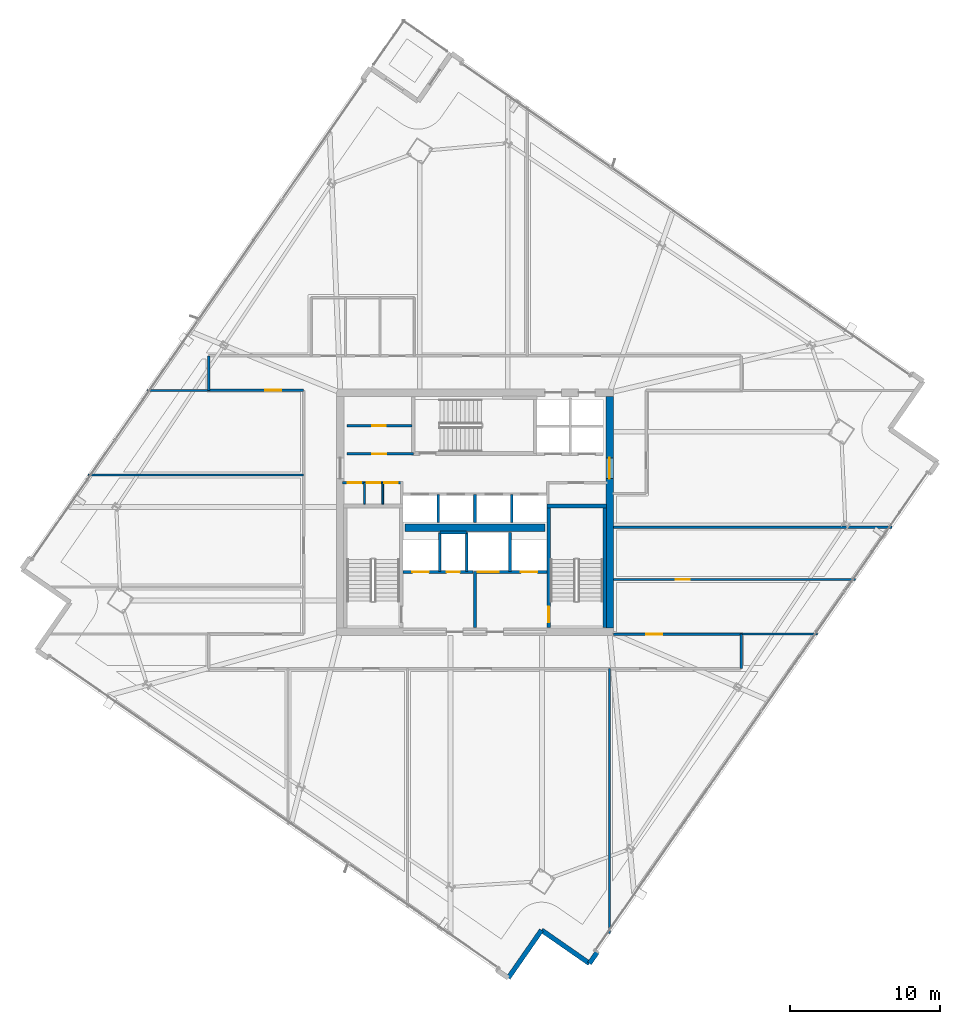
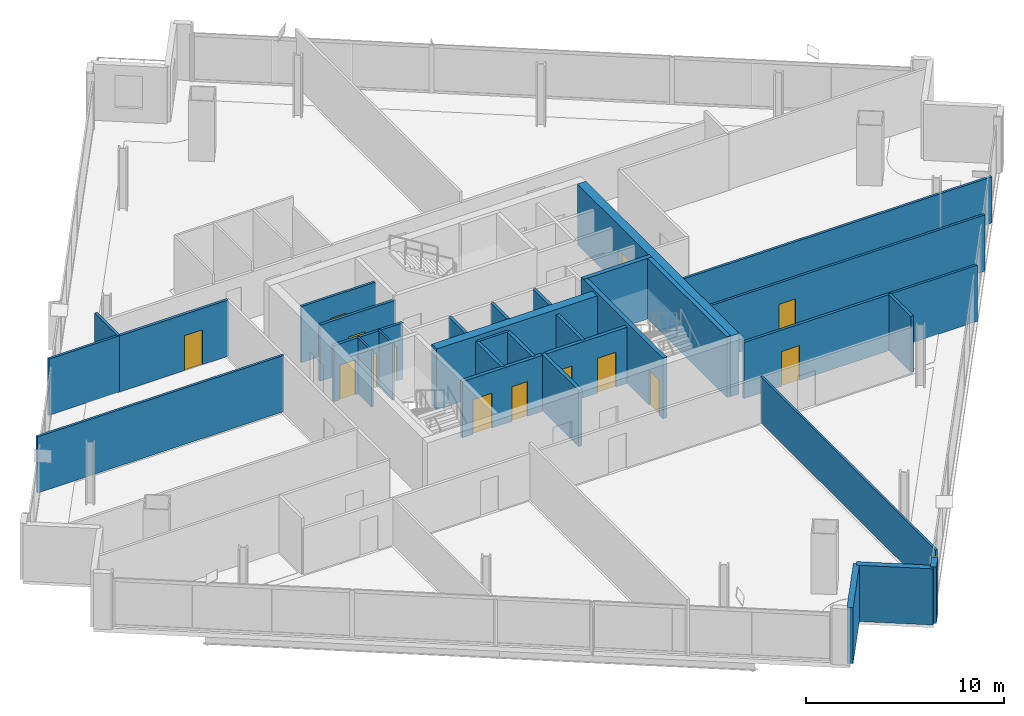
# One storey, part 23 of 30: 33 walls, 14 doors, 14 openings.
"""IFC4 building model written with IfcOpenShell, lengths in metres."""

from ifc_helpers import new_model, si_unit, direction, frame, frame_2d, origin, place, context, subcontext, project, spatial, rectangle, extrude, material, layer, layer_set, type_object, element, fill, save


model = new_model("IFC4")

# Units and contexts
model_context = context("Model", 3, precision=1e-05, world=origin(), true_north=direction((0.0, 1.0)))
body_context = subcontext(model_context, "Body", "Model", "MODEL_VIEW")
ifc_project = project(units=[si_unit("LENGTHUNIT", "METRE"), si_unit("AREAUNIT", "SQUARE_METRE"), si_unit("VOLUMEUNIT", "CUBIC_METRE"), si_unit("PLANEANGLEUNIT", "RADIAN"), si_unit("MASSUNIT", "GRAM", prefix="KILO")], contexts=[model_context])

# Site, building, storey
site_placement = place(None, origin())
site = spatial("IfcSite", under=ifc_project, at=site_placement, CompositionType="ELEMENT")
building_placement = place(site_placement, origin())
building = spatial("IfcBuilding", under=site, at=building_placement, Name="Haldenkirk Collegiate Tower", CompositionType="ELEMENT")
storey_placement = place(building_placement, frame((0.0, 0.0, 213.449951171875)))
storey = spatial("IfcBuildingStorey", under=building, at=storey_placement, Name="L53", CompositionType="ELEMENT", Elevation=213.449951171875)

# Wall, opening, door
ifc_material_1 = material(Name="Concrete f'c 55 MPa", Category="concrete")
ifc_layer_1 = layer(ifc_material_1, 0.5)
ifc_layer_set_1 = layer_set([ifc_layer_1], Name="Concrete f'c 55 MPa")
wall_type_1 = type_object("IfcWallType", Name="WL-CORE-500", PredefinedType="SHEAR", material=ifc_layer_set_1)
wall_1_placement = place(storey_placement, frame((45.0, 18.25, 0.0), z_axis=(0.0, 0.0, 1.0), x_axis=(0.0, 1.0, 0.0)))
wall_1 = element("IfcWall", 1, at=wall_1_placement, inside=storey, type_object=wall_type_1, Name="L53 central core shear wall E", PredefinedType="SHEAR", context=body_context, shape_type="SweptSolid", body=[
    extrude(rectangle(XDim=15.5, YDim=0.5, at=frame_2d((7.75, 0.0))), origin(), (0.0, 0.0, 1.0), 3.75),
])
opening_1_placement = place(wall_1_placement, frame((9.989990234375, 0.0, 0.0)))
opening_1 = element("IfcOpeningElement", 2, at=opening_1_placement, cuts=wall_1, Name="Opening D-03", PredefinedType="OPENING", context=body_context, shape_type="SweptSolid", body=[
    extrude(rectangle(XDim=1.39990234375, YDim=2.199951171875, at=frame_2d((0.699951171875, 1.10009765625))), frame((0.0, 0.260009765625, 0.0), z_axis=(0.0, -1.0, 0.0), x_axis=(1.0, 0.0, 0.0)), (0.0, 0.0, 1.0), 0.52001953125),
])
ifc_material_2 = material(Name="Galvanized fire-rated hollow steel door", Category="steel")
ifc_layer_2 = layer(ifc_material_2, 0.06005859375)
ifc_layer_set_2 = layer_set([ifc_layer_2], Name="Galvanized fire-rated hollow steel door")
door_type_1 = type_object("IfcDoorType", Name="DR-LOBBY-FD90-1400", OperationType="NOTDEFINED", PredefinedType="DOOR", material=ifc_layer_set_2)
door_1_placement = place(opening_1_placement, origin())
door_1 = element("IfcDoor", 3, at=door_1_placement, inside=storey, type_object=door_type_1, Name="L53 east lift lobby portal", OperationType="DOUBLE_DOOR_SINGLE_SWING", OverallHeight=2.199951171875, OverallWidth=1.39990234375, PredefinedType="DOOR", context=body_context, shape_type="SweptSolid", body=[
    extrude(rectangle(XDim=1.39990234375, YDim=2.199951171875, at=frame_2d((0.699951171875, 1.10009765625))), frame((0.0, 0.02490234375, 0.0), z_axis=(0.0, -1.0, 0.0), x_axis=(1.0, 0.0, 0.0)), (0.0, 0.0, 1.0), 0.050048828125),
])
fill(opening_1, door_1)

# Walls
wall_2_placement = place(storey_placement, frame((31.31005859375, 24.949951171875, 0.0), z_axis=(0.0, 0.0, 1.0), x_axis=(1.0, 0.0, 0.0)))
element("IfcWall", 4, at=wall_2_placement, inside=storey, type_object=wall_type_1, Name="L53 central core spine shear wall", PredefinedType="SHEAR", context=body_context, shape_type="SweptSolid", body=[
    extrude(rectangle(XDim=9.3798828125, YDim=0.5, at=frame_2d((4.68994140625, 0.0))), origin(), (0.0, 0.0, 1.0), 3.75),
])
ifc_material_3 = material(Name="Precast concrete f'c 40 MPa", Category="concrete")
ifc_layer_3 = layer(ifc_material_3, 0.320068359375)
ifc_layer_set_3 = layer_set([ifc_layer_3], Name="Precast concrete f'c 40 MPa")
wall_type_2 = type_object("IfcWallType", Name="WL-EXT-TWR-320", PredefinedType="STANDARD", material=ifc_layer_set_3)
wall_3_placement = place(storey_placement, frame((44.16796875, -3.42431640625, 0.0), z_axis=(0.0, 0.0, 1.0), x_axis=(-0.570873679217, -0.821037905566, 0.0)))
element("IfcWall", 5, at=wall_3_placement, inside=storey, type_object=wall_type_2, Name="L53 precast corner pier SR", PredefinedType="STANDARD", context=body_context, shape_type="SweptSolid", body=[
    extrude(rectangle(XDim=0.89990234375, YDim=0.320068359375, at=frame_2d((0.449951171875, 0.0))), origin(), (0.0, 0.0, 1.0), 3.469970703125),
])
for number, where, z_axis, x_axis, name in (
    (6, (40.451904296875, -1.9375, 0.0), (0.0, 0.0, 1.0), (-0.570690245506, -0.821165417979, 0.0), "L53 bronze precast notch wall 11"),
    (7, (43.654296875, -4.1630859375, 0.0), (0.0, 0.0, 1.0), (-0.821165417979, 0.570690245506, 0.0), "L53 bronze precast notch wall 12"),
):
    element("IfcWall", number, at=place(storey_placement, frame(where, z_axis=z_axis, x_axis=x_axis)), inside=storey, type_object=wall_type_2, Name=name, PredefinedType="STANDARD", context=body_context, shape_type="SweptSolid", body=[
        extrude(rectangle(XDim=3.89990234375, YDim=0.320068359375, at=frame_2d((1.949951171875, 0.0))), origin(), (0.0, 0.0, 1.0), 3.469970703125),
    ])

# Wall, openings, doors
ifc_material_4 = material(Name="Acoustic fire-rated gypsum partition", Category="concrete")
ifc_layer_4 = layer(ifc_material_4, 0.159912109375)
ifc_layer_set_4 = layer_set([ifc_layer_4], Name="Acoustic fire-rated gypsum partition")
wall_type_3 = type_object("IfcWallType", Name="WL-INT-CORR-160", PredefinedType="PARTITIONING", material=ifc_layer_set_4)
wall_4_placement = place(storey_placement, frame((27.14990234375, 27.97998046875, 0.0), z_axis=(0.0, 0.0, 1.0), x_axis=(1.0, 0.0, 0.0)))
wall_4 = element("IfcWall", 8, at=wall_4_placement, inside=storey, type_object=wall_type_3, Name="L53 interior partition IW-L53-VCSW-N", PredefinedType="PARTITIONING", context=body_context, shape_type="SweptSolid", body=[
    extrude(rectangle(XDim=4.050048828125, YDim=0.159912109375, at=frame_2d((2.02490234375, 0.0))), origin(), (0.0, 0.0, 1.0), 3.469970703125),
])
opening_2_placement = place(wall_4_placement, frame((0.360107421875, 0.0, 0.0)))
opening_2 = element("IfcOpeningElement", 9, at=opening_2_placement, cuts=wall_4, Name="Opening D-11", PredefinedType="OPENING", context=body_context, shape_type="SweptSolid", body=[
    extrude(rectangle(XDim=0.89990234375, YDim=2.14990234375, at=frame_2d((0.449951171875, 1.074951171875))), frame((0.0, 0.08984375, 0.0), z_axis=(0.0, -1.0, 0.0), x_axis=(1.0, 0.0, 0.0)), (0.0, 0.0, 1.0), 0.179931640625),
])
opening_3_placement = place(wall_4_placement, frame((1.6298828125, 0.0, 0.0)))
opening_3 = element("IfcOpeningElement", 10, at=opening_3_placement, cuts=wall_4, Name="Opening D-11", PredefinedType="OPENING", context=body_context, shape_type="SweptSolid", body=[
    extrude(rectangle(XDim=0.89990234375, YDim=2.14990234375, at=frame_2d((0.449951171875, 1.074951171875))), frame((0.0, 0.08984375, 0.0), z_axis=(0.0, -1.0, 0.0), x_axis=(1.0, 0.0, 0.0)), (0.0, 0.0, 1.0), 0.179931640625),
])
opening_4_placement = place(wall_4_placement, frame((2.78759765625, 0.0, 0.0)))
opening_4 = element("IfcOpeningElement", 11, at=opening_4_placement, cuts=wall_4, Name="Opening D-11", PredefinedType="OPENING", context=body_context, shape_type="SweptSolid", body=[
    extrude(rectangle(XDim=0.89990234375, YDim=2.14990234375, at=frame_2d((0.449951171875, 1.074951171875))), frame((0.0, 0.08984375, 0.0), z_axis=(0.0, -1.0, 0.0), x_axis=(1.0, 0.0, 0.0)), (0.0, 0.0, 1.0), 0.179931640625),
])
ifc_material_5 = material(Name="Solid-core architectural oak fire door", Category="wood")
ifc_layer_5 = layer(ifc_material_5, 0.06005859375)
ifc_layer_set_5 = layer_set([ifc_layer_5], Name="Solid-core architectural oak fire door")
door_type_2 = type_object("IfcDoorType", Name="DR-INT-FD60-900", OperationType="NOTDEFINED", PredefinedType="DOOR", material=ifc_layer_set_5)
door_2_placement = place(opening_2_placement, origin())
door_2 = element("IfcDoor", 12, at=door_2_placement, inside=storey, type_object=door_type_2, Name="L53 core study booth door", OperationType="SINGLE_SWING_RIGHT", OverallHeight=2.14990234375, OverallWidth=0.89990234375, PredefinedType="DOOR", context=body_context, shape_type="SweptSolid", body=[
    extrude(rectangle(XDim=0.89990234375, YDim=2.14990234375, at=frame_2d((0.449951171875, 1.074951171875))), frame((0.0, 0.02490234375, 0.0), z_axis=(0.0, -1.0, 0.0), x_axis=(1.0, 0.0, 0.0)), (0.0, 0.0, 1.0), 0.050048828125),
])
fill(opening_2, door_2)
door_3_placement = place(opening_3_placement, origin())
door_3 = element("IfcDoor", 13, at=door_3_placement, inside=storey, type_object=door_type_2, Name="L53 core cleaners door", OperationType="SINGLE_SWING_LEFT", OverallHeight=2.14990234375, OverallWidth=0.89990234375, PredefinedType="DOOR", context=body_context, shape_type="SweptSolid", body=[
    extrude(rectangle(XDim=0.89990234375, YDim=2.14990234375, at=frame_2d((0.449951171875, 1.074951171875))), frame((0.0, 0.02490234375, 0.0), z_axis=(0.0, -1.0, 0.0), x_axis=(1.0, 0.0, 0.0)), (0.0, 0.0, 1.0), 0.050048828125),
])
fill(opening_3, door_3)
door_4_placement = place(opening_4_placement, origin())
door_4 = element("IfcDoor", 14, at=door_4_placement, inside=storey, type_object=door_type_2, Name="L53 core stationery door", OperationType="SINGLE_SWING_RIGHT", OverallHeight=2.14990234375, OverallWidth=0.89990234375, PredefinedType="DOOR", context=body_context, shape_type="SweptSolid", body=[
    extrude(rectangle(XDim=0.89990234375, YDim=2.14990234375, at=frame_2d((0.449951171875, 1.074951171875))), frame((0.0, 0.02490234375, 0.0), z_axis=(0.0, -1.0, 0.0), x_axis=(1.0, 0.0, 0.0)), (0.0, 0.0, 1.0), 0.050048828125),
])
fill(opening_4, door_4)

# Wall, opening, door
wall_5_placement = place(storey_placement, frame((27.449951171875, 29.89990234375, 0.0), z_axis=(0.0, 0.0, 1.0), x_axis=(1.0, 0.0, 0.0)))
wall_5 = element("IfcWall", 15, at=wall_5_placement, inside=storey, type_object=wall_type_3, Name="L53 interior partition IW-L53-PLS", PredefinedType="PARTITIONING", context=body_context, shape_type="SweptSolid", body=[
    extrude(rectangle(XDim=4.429931640625, YDim=0.159912109375, at=frame_2d((2.21484375, 0.0))), origin(), (0.0, 0.0, 1.0), 3.469970703125),
])
opening_5_placement = place(wall_5_placement, frame((1.675048828125, 0.0, 0.0)))
opening_5 = element("IfcOpeningElement", 16, at=opening_5_placement, cuts=wall_5, Name="Opening D-10", PredefinedType="OPENING", context=body_context, shape_type="SweptSolid", body=[
    extrude(rectangle(XDim=0.949951171875, YDim=2.14990234375, at=frame_2d((0.47509765625, 1.074951171875))), frame((0.0, 0.08984375, 0.0), z_axis=(0.0, -1.0, 0.0), x_axis=(1.0, 0.0, 0.0)), (0.0, 0.0, 1.0), 0.179931640625),
])
ifc_layer_6 = layer(ifc_material_5, 0.06005859375)
ifc_layer_set_6 = layer_set([ifc_layer_6], Name="Solid-core architectural oak fire door")
door_type_3 = type_object("IfcDoorType", Name="DR-INT-FD60-950", OperationType="NOTDEFINED", PredefinedType="DOOR", material=ifc_layer_set_6)
door_5_placement = place(opening_5_placement, origin())
door_5 = element("IfcDoor", 17, at=door_5_placement, inside=storey, type_object=door_type_3, Name="L53 consultation door", OperationType="SINGLE_SWING_RIGHT", OverallHeight=2.14990234375, OverallWidth=0.949951171875, PredefinedType="DOOR", context=body_context, shape_type="SweptSolid", body=[
    extrude(rectangle(XDim=0.949951171875, YDim=2.14990234375, at=frame_2d((0.47509765625, 1.074951171875))), frame((0.0, 0.02490234375, 0.0), z_axis=(0.0, -1.0, 0.0), x_axis=(1.0, 0.0, 0.0)), (0.0, 0.0, 1.0), 0.050048828125),
])
fill(opening_5, door_5)

wall_6_placement = place(storey_placement, frame((45.25, 17.85009765625, 0.0), z_axis=(0.0, 0.0, 1.0), x_axis=(1.0, 0.0, 0.0)))
wall_6 = element("IfcWall", 18, at=wall_6_placement, inside=storey, type_object=wall_type_3, Name="L53 interior partition IW-L53-CSE", PredefinedType="PARTITIONING", context=body_context, shape_type="SweptSolid", body=[
    extrude(rectangle(XDim=8.550048828125, YDim=0.159912109375, at=frame_2d((4.27490234375, 0.0))), origin(), (0.0, 0.0, 1.0), 3.469970703125),
])
opening_6_placement = place(wall_6_placement, frame((2.2109375, 0.0, 0.0)))
opening_6 = element("IfcOpeningElement", 19, at=opening_6_placement, cuts=wall_6, Name="Opening D-09", PredefinedType="OPENING", context=body_context, shape_type="SweptSolid", body=[
    extrude(rectangle(XDim=1.050048828125, YDim=2.14990234375, at=frame_2d((0.52490234375, 1.074951171875))), frame((0.0, 0.08984375, 0.0), z_axis=(0.0, -1.0, 0.0), x_axis=(1.0, 0.0, 0.0)), (0.0, 0.0, 1.0), 0.179931640625),
])
ifc_layer_7 = layer(ifc_material_5, 0.06005859375)
ifc_layer_set_7 = layer_set([ifc_layer_7], Name="Solid-core architectural oak fire door")
door_type_4 = type_object("IfcDoorType", Name="DR-INT-FD60-1050", OperationType="NOTDEFINED", PredefinedType="DOOR", material=ifc_layer_set_7)
door_6_placement = place(opening_6_placement, origin())
door_6 = element("IfcDoor", 20, at=door_6_placement, inside=storey, type_object=door_type_4, Name="L53 Faculty Office 10 door", OperationType="SINGLE_SWING_RIGHT", OverallHeight=2.14990234375, OverallWidth=1.050048828125, PredefinedType="DOOR", context=body_context, shape_type="SweptSolid", body=[
    extrude(rectangle(XDim=1.050048828125, YDim=2.14990234375, at=frame_2d((0.52490234375, 1.074951171875))), frame((0.0, 0.02490234375, 0.0), z_axis=(0.0, -1.0, 0.0), x_axis=(1.0, 0.0, 0.0)), (0.0, 0.0, 1.0), 0.050048828125),
])
fill(opening_6, door_6)

wall_7_placement = place(storey_placement, frame((18.199951171875, 34.14990234375, 0.0), z_axis=(0.0, 0.0, 1.0), x_axis=(1.0, 0.0, 0.0)))
wall_7 = element("IfcWall", 21, at=wall_7_placement, inside=storey, type_object=wall_type_3, Name="L53 interior partition IW-L53-CNW", PredefinedType="PARTITIONING", context=body_context, shape_type="SweptSolid", body=[
    extrude(rectangle(XDim=6.35009765625, YDim=0.159912109375, at=frame_2d((3.175048828125, 0.0))), origin(), (0.0, 0.0, 1.0), 3.469970703125),
])
opening_7_placement = place(wall_7_placement, frame((3.79296875, 0.0, 0.0)))
opening_7 = element("IfcOpeningElement", 22, at=opening_7_placement, cuts=wall_7, Name="Opening D-09", PredefinedType="OPENING", context=body_context, shape_type="SweptSolid", body=[
    extrude(rectangle(XDim=1.050048828125, YDim=2.14990234375, at=frame_2d((0.52490234375, 1.074951171875))), frame((0.0, 0.08984375, 0.0), z_axis=(0.0, -1.0, 0.0), x_axis=(1.0, 0.0, 0.0)), (0.0, 0.0, 1.0), 0.179931640625),
])
door_7_placement = place(opening_7_placement, origin())
door_7 = element("IfcDoor", 23, at=door_7_placement, inside=storey, type_object=door_type_4, Name="L53 Hospitality Tea Kitchen 9 door", OperationType="SINGLE_SWING_LEFT", OverallHeight=2.14990234375, OverallWidth=1.050048828125, PredefinedType="DOOR", context=body_context, shape_type="SweptSolid", body=[
    extrude(rectangle(XDim=1.050048828125, YDim=2.14990234375, at=frame_2d((0.52490234375, 1.074951171875))), frame((0.0, 0.02490234375, 0.0), z_axis=(0.0, -1.0, 0.0), x_axis=(1.0, 0.0, 0.0)), (0.0, 0.0, 1.0), 0.050048828125),
])
fill(opening_7, door_7)

# Walls
for number, where, z_axis, x_axis, name in (
    (24, (53.800048828125, 15.550048828125, 0.0), (0.0, 0.0, 1.0), (0.0, 1.0, 0.0), "L53 interior partition IW-L53-CSR"),
    (25, (18.199951171875, 34.14990234375, 0.0), (0.0, 0.0, 1.0), (0.0, 1.0, 0.0), "L53 interior partition IW-L53-CNL"),
):
    element("IfcWall", number, at=place(storey_placement, frame(where, z_axis=z_axis, x_axis=x_axis)), inside=storey, type_object=wall_type_3, Name=name, PredefinedType="PARTITIONING", context=body_context, shape_type="SweptSolid", body=[
        extrude(rectangle(XDim=2.300048828125, YDim=0.159912109375, at=frame_2d((1.14990234375, 0.0))), origin(), (0.0, 0.0, 1.0), 3.469970703125),
    ])

# Wall, opening, door
ifc_layer_8 = layer(ifc_material_4, 0.139892578125)
ifc_layer_set_8 = layer_set([ifc_layer_8], Name="Acoustic fire-rated gypsum partition")
wall_type_4 = type_object("IfcWallType", Name="WL-INT-DIV-140", PredefinedType="PARTITIONING", material=ifc_layer_set_8)
wall_8_placement = place(storey_placement, frame((27.449951171875, 31.780029296875, 0.0), z_axis=(0.0, 0.0, 1.0), x_axis=(1.0, 0.0, 0.0)))
wall_8 = element("IfcWall", 26, at=wall_8_placement, inside=storey, type_object=wall_type_4, Name="L53 interior partition IW-L53-PLDIVH", PredefinedType="PARTITIONING", context=body_context, shape_type="SweptSolid", body=[
    extrude(rectangle(XDim=4.35009765625, YDim=0.139892578125, at=frame_2d((2.175048828125, 0.0))), origin(), (0.0, 0.0, 1.0), 3.469970703125),
])
opening_8_placement = place(wall_8_placement, frame((1.699951171875, 0.0, 0.0)))
opening_8 = element("IfcOpeningElement", 27, at=opening_8_placement, cuts=wall_8, Name="Opening D-13", PredefinedType="OPENING", context=body_context, shape_type="SweptSolid", body=[
    extrude(rectangle(XDim=0.89990234375, YDim=2.14990234375, at=frame_2d((0.449951171875, 1.074951171875))), frame((0.0, 0.079833984375, 0.0), z_axis=(0.0, -1.0, 0.0), x_axis=(1.0, 0.0, 0.0)), (0.0, 0.0, 1.0), 0.159912109375),
])
ifc_layer_9 = layer(ifc_material_5, 0.06005859375)
ifc_layer_set_9 = layer_set([ifc_layer_9], Name="Solid-core architectural oak fire door")
door_type_5 = type_object("IfcDoorType", Name="DR-INT-STD-900", OperationType="NOTDEFINED", PredefinedType="DOOR", material=ifc_layer_set_9)
door_8_placement = place(opening_8_placement, origin())
door_8 = element("IfcDoor", 28, at=door_8_placement, inside=storey, type_object=door_type_5, Name="L53 folio vault door", OperationType="SINGLE_SWING_LEFT", OverallHeight=2.14990234375, OverallWidth=0.89990234375, PredefinedType="DOOR", context=body_context, shape_type="SweptSolid", body=[
    extrude(rectangle(XDim=0.89990234375, YDim=2.14990234375, at=frame_2d((0.449951171875, 1.074951171875))), frame((0.0, 0.02490234375, 0.0), z_axis=(0.0, -1.0, 0.0), x_axis=(1.0, 0.0, 0.0)), (0.0, 0.0, 1.0), 0.050048828125),
])
fill(opening_8, door_8)

# Walls
wall_9_placement = place(storey_placement, frame((14.069091796875, 34.14990234375, 0.0), z_axis=(0.0, 0.0, 1.0), x_axis=(1.0, 0.0, 0.0)))
element("IfcWall", 29, at=wall_9_placement, inside=storey, type_object=wall_type_4, Name="L53 interior partition IW-L53-BWN", PredefinedType="PARTITIONING", context=body_context, shape_type="SweptSolid", body=[
    extrude(rectangle(XDim=4.130859375, YDim=0.139892578125, at=frame_2d((2.0654296875, 0.0))), origin(), (0.0, 0.0, 1.0), 3.469970703125),
])
wall_10_placement = place(storey_placement, frame((53.800048828125, 17.85009765625, 0.0), z_axis=(0.0, 0.0, 1.0), x_axis=(1.0, 0.0, 0.0)))
element("IfcWall", 30, at=wall_10_placement, inside=storey, type_object=wall_type_4, Name="L53 interior partition IW-L53-BES", PredefinedType="PARTITIONING", context=body_context, shape_type="SweptSolid", body=[
    extrude(rectangle(XDim=5.105224609375, YDim=0.139892578125, at=frame_2d((2.552734375, 0.0))), origin(), (0.0, 0.0, 1.0), 3.469970703125),
])
wall_11_placement = place(storey_placement, frame((10.14208984375, 28.5, 0.0), z_axis=(0.0, 0.0, 1.0), x_axis=(1.0, 0.0, 0.0)))
element("IfcWall", 31, at=wall_11_placement, inside=storey, type_object=wall_type_4, Name="L53 interior partition IW-L53-RW2", PredefinedType="PARTITIONING", context=body_context, shape_type="SweptSolid", body=[
    extrude(rectangle(XDim=14.407958984375, YDim=0.139892578125, at=frame_2d((7.2041015625, 0.0))), origin(), (0.0, 0.0, 1.0), 3.469970703125),
])

# Wall, opening, door
wall_12_placement = place(storey_placement, frame((45.25, 21.5, 0.0), z_axis=(0.0, 0.0, 1.0), x_axis=(1.0, 0.0, 0.0)))
wall_12 = element("IfcWall", 32, at=wall_12_placement, inside=storey, type_object=wall_type_4, Name="L53 interior partition IW-L53-RE1", PredefinedType="PARTITIONING", context=body_context, shape_type="SweptSolid", body=[
    extrude(rectangle(XDim=16.192138671875, YDim=0.139892578125, at=frame_2d((8.09619140625, 0.0))), origin(), (0.0, 0.0, 1.0), 3.469970703125),
])
opening_9_placement = place(wall_12_placement, frame((4.176025390625, 0.0, 0.0)))
opening_9 = element("IfcOpeningElement", 33, at=opening_9_placement, cuts=wall_12, Name="Opening D-12", PredefinedType="OPENING", context=body_context, shape_type="SweptSolid", body=[
    extrude(rectangle(XDim=0.949951171875, YDim=2.14990234375, at=frame_2d((0.47509765625, 1.074951171875))), frame((0.0, 0.079833984375, 0.0), z_axis=(0.0, -1.0, 0.0), x_axis=(1.0, 0.0, 0.0)), (0.0, 0.0, 1.0), 0.159912109375),
])
ifc_layer_10 = layer(ifc_material_5, 0.06005859375)
ifc_layer_set_10 = layer_set([ifc_layer_10], Name="Solid-core architectural oak fire door")
door_type_6 = type_object("IfcDoorType", Name="DR-INT-STD-950", OperationType="NOTDEFINED", PredefinedType="DOOR", material=ifc_layer_set_10)
door_9_placement = place(opening_9_placement, origin())
door_9 = element("IfcDoor", 34, at=door_9_placement, inside=storey, type_object=door_type_6, Name="L53 Departmental Office 11 door", OperationType="SINGLE_SWING_LEFT", OverallHeight=2.14990234375, OverallWidth=0.949951171875, PredefinedType="DOOR", context=body_context, shape_type="SweptSolid", body=[
    extrude(rectangle(XDim=0.949951171875, YDim=2.14990234375, at=frame_2d((0.47509765625, 1.074951171875))), frame((0.0, 0.02490234375, 0.0), z_axis=(0.0, -1.0, 0.0), x_axis=(1.0, 0.0, 0.0)), (0.0, 0.0, 1.0), 0.050048828125),
])
fill(opening_9, door_9)

# Walls
wall_13_placement = place(storey_placement, frame((45.25, 25.0, 0.0), z_axis=(0.0, 0.0, 1.0), x_axis=(1.0, 0.0, 0.0)))
element("IfcWall", 35, at=wall_13_placement, inside=storey, type_object=wall_type_4, Name="L53 interior partition IW-L53-RE2", PredefinedType="PARTITIONING", context=body_context, shape_type="SweptSolid", body=[
    extrude(rectangle(XDim=18.624755859375, YDim=0.139892578125, at=frame_2d((9.3125, 0.0))), origin(), (0.0, 0.0, 1.0), 2.84912109375),
])
ifc_material_6 = material(Name="Fire-rated gypsum shaftboard assembly", Category="concrete")
ifc_layer_11 = layer(ifc_material_6, 0.179931640625)
ifc_layer_set_11 = layer_set([ifc_layer_11], Name="Fire-rated gypsum shaftboard assembly")
wall_type_5 = type_object("IfcWallType", Name="WL-INT-SHAFT-180", PredefinedType="PARTITIONING", material=ifc_layer_set_11)
for number, where, z_axis, x_axis, name in (
    (36, (33.64990234375, 22.050048828125, 0.0), (0.0, 0.0, 1.0), (0.0, 1.0, 0.0), "L53 interior partition IW-L53-FL1E"),
    (37, (35.449951171875, 22.050048828125, 0.0), (0.0, 0.0, 1.0), (0.0, 1.0, 0.0), "L53 interior partition IW-L53-GL1W"),
):
    element("IfcWall", number, at=place(storey_placement, frame(where, z_axis=z_axis, x_axis=x_axis)), inside=storey, type_object=wall_type_5, Name=name, PredefinedType="PARTITIONING", context=body_context, shape_type="SweptSolid", body=[
        extrude(rectangle(XDim=2.599853515625, YDim=0.179931640625, at=frame_2d((1.2998046875, 0.0))), origin(), (0.0, 0.0, 1.0), 3.469970703125),
    ])
wall_14_placement = place(storey_placement, frame((33.64990234375, 24.64990234375, 0.0), z_axis=(0.0, 0.0, 1.0), x_axis=(1.0, 0.0, 0.0)))
element("IfcWall", 38, at=wall_14_placement, inside=storey, type_object=wall_type_5, Name="L53 interior partition IW-L53-RSRN", PredefinedType="PARTITIONING", context=body_context, shape_type="SweptSolid", body=[
    extrude(rectangle(XDim=1.800048828125, YDim=0.179931640625, at=frame_2d((0.89990234375, 0.0))), origin(), (0.0, 0.0, 1.0), 3.469970703125),
])
wall_15_placement = place(storey_placement, frame((38.35009765625, 22.050048828125, 0.0), z_axis=(0.0, 0.0, 1.0), x_axis=(0.0, 1.0, 0.0)))
element("IfcWall", 39, at=wall_15_placement, inside=storey, type_object=wall_type_5, Name="L53 interior partition IW-L53-GL1E", PredefinedType="PARTITIONING", context=body_context, shape_type="SweptSolid", body=[
    extrude(rectangle(XDim=2.599853515625, YDim=0.179931640625, at=frame_2d((1.2998046875, 0.0))), origin(), (0.0, 0.0, 1.0), 3.469970703125),
])
for number, where, z_axis, x_axis, name in (
    (40, (33.5400390625, 25.300048828125, 0.0), (0.0, 0.0, 1.0), (0.0, 1.0, 0.0), "L53 interior partition IW-L53-PHV1"),
    (41, (36.0, 25.300048828125, 0.0), (0.0, 0.0, 1.0), (0.0, 1.0, 0.0), "L53 interior partition IW-L53-PHV2"),
    (42, (38.4599609375, 25.300048828125, 0.0), (0.0, 0.0, 1.0), (0.0, 1.0, 0.0), "L53 interior partition IW-L53-PHV3"),
):
    element("IfcWall", number, at=place(storey_placement, frame(where, z_axis=z_axis, x_axis=x_axis)), inside=storey, type_object=wall_type_5, Name=name, PredefinedType="PARTITIONING", context=body_context, shape_type="SweptSolid", body=[
        extrude(rectangle(XDim=1.89990234375, YDim=0.179931640625, at=frame_2d((0.949951171875, 0.0))), origin(), (0.0, 0.0, 1.0), 3.469970703125),
    ])
ifc_layer_12 = layer(ifc_material_6, 0.199951171875)
ifc_layer_set_12 = layer_set([ifc_layer_12], Name="Fire-rated gypsum shaftboard assembly")
wall_type_6 = type_object("IfcWallType", Name="WL-INT-SHAFT-200", PredefinedType="PARTITIONING", material=ifc_layer_set_12)
wall_16_placement = place(storey_placement, frame((36.0, 18.280029296875, 0.0), z_axis=(0.0, 0.0, 1.0), x_axis=(0.0, 1.0, 0.0)))
element("IfcWall", 43, at=wall_16_placement, inside=storey, type_object=wall_type_6, Name="L53 interior partition IW-L53-FFLM", PredefinedType="PARTITIONING", context=body_context, shape_type="SweptSolid", body=[
    extrude(rectangle(XDim=3.77001953125, YDim=0.199951171875, at=frame_2d((1.885009765625, 0.0))), origin(), (0.0, 0.0, 1.0), 3.469970703125),
])

# Wall, openings, doors
wall_17_placement = place(storey_placement, frame((31.18994140625, 22.0, 0.0), z_axis=(0.0, 0.0, 1.0), x_axis=(1.0, 0.0, 0.0)))
wall_17 = element("IfcWall", 44, at=wall_17_placement, inside=storey, type_object=wall_type_6, Name="L53 interior partition IW-L53-FFL1N", PredefinedType="PARTITIONING", context=body_context, shape_type="SweptSolid", body=[
    extrude(rectangle(XDim=4.68994140625, YDim=0.199951171875, at=frame_2d((2.344970703125, 0.0))), origin(), (0.0, 0.0, 1.0), 3.469970703125),
])
opening_10_placement = place(wall_17_placement, frame((2.909912109375, 0.0, 0.0)))
opening_10 = element("IfcOpeningElement", 45, at=opening_10_placement, cuts=wall_17, Name="Opening D-06", PredefinedType="OPENING", context=body_context, shape_type="SweptSolid", body=[
    extrude(rectangle(XDim=0.89990234375, YDim=2.14990234375, at=frame_2d((0.449951171875, 1.074951171875))), frame((0.0, 0.10986328125, 0.0), z_axis=(0.0, -1.0, 0.0), x_axis=(1.0, 0.0, 0.0)), (0.0, 0.0, 1.0), 0.219970703125),
])
opening_11_placement = place(wall_17_placement, frame((0.635009765625, 0.0, 0.0)))
opening_11 = element("IfcOpeningElement", 46, at=opening_11_placement, cuts=wall_17, Name="Opening LD-12", PredefinedType="OPENING", context=body_context, shape_type="SweptSolid", body=[
    extrude(rectangle(XDim=1.10009765625, YDim=2.14990234375, at=frame_2d((0.550048828125, 1.074951171875))), frame((0.0, 0.10986328125, 0.0), z_axis=(0.0, -1.0, 0.0), x_axis=(1.0, 0.0, 0.0)), (0.0, 0.0, 1.0), 0.219970703125),
])
ifc_layer_13 = layer(ifc_material_2, 0.06005859375)
ifc_layer_set_13 = layer_set([ifc_layer_13], Name="Galvanized fire-rated hollow steel door")
door_type_7 = type_object("IfcDoorType", Name="DR-INT-FD90-900", OperationType="NOTDEFINED", PredefinedType="DOOR", material=ifc_layer_set_13)
door_10_placement = place(opening_10_placement, origin())
door_10 = element("IfcDoor", 47, at=door_10_placement, inside=storey, type_object=door_type_7, Name="L53 electrical riser door", OperationType="SINGLE_SWING_LEFT", OverallHeight=2.14990234375, OverallWidth=0.89990234375, PredefinedType="DOOR", context=body_context, shape_type="SweptSolid", body=[
    extrude(rectangle(XDim=0.89990234375, YDim=2.14990234375, at=frame_2d((0.449951171875, 1.074951171875))), frame((0.0, 0.02490234375, 0.0), z_axis=(0.0, -1.0, 0.0), x_axis=(1.0, 0.0, 0.0)), (0.0, 0.0, 1.0), 0.050048828125),
])
fill(opening_10, door_10)
ifc_material_7 = material(Name="Brushed architectural stainless steel", Category="steel")
ifc_layer_14 = layer(ifc_material_7, 0.06005859375)
ifc_layer_set_14 = layer_set([ifc_layer_14], Name="Brushed architectural stainless steel")
door_type_8 = type_object("IfcDoorType", Name="LD-FIRE-1100", OperationType="NOTDEFINED", PredefinedType="DOOR", material=ifc_layer_set_14)
door_11_placement = place(opening_11_placement, origin())
door_11 = element("IfcDoor", 48, at=door_11_placement, inside=storey, type_object=door_type_8, Name="L53 Elevator FL1 sliding landing door", OperationType="SLIDING_TO_LEFT", OverallHeight=2.14990234375, OverallWidth=1.10009765625, PredefinedType="DOOR", context=body_context, shape_type="SweptSolid", body=[
    extrude(rectangle(XDim=1.10009765625, YDim=2.14990234375, at=frame_2d((0.550048828125, 1.074951171875))), frame((0.0, 0.02490234375, 0.0), z_axis=(0.0, -1.0, 0.0), x_axis=(1.0, 0.0, 0.0)), (0.0, 0.0, 1.0), 0.050048828125),
])
fill(opening_11, door_11)

wall_18_placement = place(storey_placement, frame((36.1201171875, 22.0, 0.0), z_axis=(0.0, 0.0, 1.0), x_axis=(1.0, 0.0, 0.0)))
wall_18 = element("IfcWall", 49, at=wall_18_placement, inside=storey, type_object=wall_type_6, Name="L53 interior partition IW-L53-FFL2N", PredefinedType="PARTITIONING", context=body_context, shape_type="SweptSolid", body=[
    extrude(rectangle(XDim=4.68994140625, YDim=0.199951171875, at=frame_2d((2.344970703125, 0.0))), origin(), (0.0, 0.0, 1.0), 3.469970703125),
])
opening_12_placement = place(wall_18_placement, frame((2.955078125, 0.0, 0.0)))
opening_12 = element("IfcOpeningElement", 50, at=opening_12_placement, cuts=wall_18, Name="Opening LD-12", PredefinedType="OPENING", context=body_context, shape_type="SweptSolid", body=[
    extrude(rectangle(XDim=1.10009765625, YDim=2.14990234375, at=frame_2d((0.550048828125, 1.074951171875))), frame((0.0, 0.10986328125, 0.0), z_axis=(0.0, -1.0, 0.0), x_axis=(1.0, 0.0, 0.0)), (0.0, 0.0, 1.0), 0.219970703125),
])
opening_13_placement = place(wall_18_placement, frame((0.080078125, 0.0, 0.0)))
opening_13 = element("IfcOpeningElement", 51, at=opening_13_placement, cuts=wall_18, Name="Opening LD-13", PredefinedType="OPENING", context=body_context, shape_type="SweptSolid", body=[
    extrude(rectangle(XDim=1.39990234375, YDim=2.199951171875, at=frame_2d((0.699951171875, 1.10009765625))), frame((0.0, 0.10986328125, 0.0), z_axis=(0.0, -1.0, 0.0), x_axis=(1.0, 0.0, 0.0)), (0.0, 0.0, 1.0), 0.219970703125),
])
door_12_placement = place(opening_12_placement, origin())
door_12 = element("IfcDoor", 52, at=door_12_placement, inside=storey, type_object=door_type_8, Name="L53 Elevator FL2 sliding landing door", OperationType="SLIDING_TO_LEFT", OverallHeight=2.14990234375, OverallWidth=1.10009765625, PredefinedType="DOOR", context=body_context, shape_type="SweptSolid", body=[
    extrude(rectangle(XDim=1.10009765625, YDim=2.14990234375, at=frame_2d((0.550048828125, 1.074951171875))), frame((0.0, 0.02490234375, 0.0), z_axis=(0.0, -1.0, 0.0), x_axis=(1.0, 0.0, 0.0)), (0.0, 0.0, 1.0), 0.050048828125),
])
fill(opening_12, door_12)
ifc_layer_15 = layer(ifc_material_7, 0.06005859375)
ifc_layer_set_15 = layer_set([ifc_layer_15], Name="Brushed architectural stainless steel")
door_type_9 = type_object("IfcDoorType", Name="LD-GOODS-1400", OperationType="NOTDEFINED", PredefinedType="DOOR", material=ifc_layer_set_15)
door_13_placement = place(opening_13_placement, origin())
door_13 = element("IfcDoor", 53, at=door_13_placement, inside=storey, type_object=door_type_9, Name="L53 Elevator GL1 sliding landing door", OperationType="SLIDING_TO_LEFT", OverallHeight=2.199951171875, OverallWidth=1.39990234375, PredefinedType="DOOR", context=body_context, shape_type="SweptSolid", body=[
    extrude(rectangle(XDim=1.39990234375, YDim=2.199951171875, at=frame_2d((0.699951171875, 1.10009765625))), frame((0.0, 0.02490234375, 0.0), z_axis=(0.0, -1.0, 0.0), x_axis=(1.0, 0.0, 0.0)), (0.0, 0.0, 1.0), 0.050048828125),
])
fill(opening_13, door_13)

# Walls
ifc_layer_16 = layer(ifc_material_4, 0.1201171875)
ifc_layer_set_16 = layer_set([ifc_layer_16], Name="Acoustic fire-rated gypsum partition")
wall_type_7 = type_object("IfcWallType", Name="WL-INT-WET-120", PredefinedType="PARTITIONING", material=ifc_layer_set_16)
for number, where, z_axis, x_axis, name in (
    (54, (28.6201171875, 26.5400390625, 0.0), (0.0, 0.0, 1.0), (0.0, 1.0, 0.0), "L53 interior partition IW-L53-VCSW-M1"),
    (55, (29.840087890625, 26.5400390625, 0.0), (0.0, 0.0, 1.0), (0.0, 1.0, 0.0), "L53 interior partition IW-L53-VCSW-M2"),
):
    element("IfcWall", number, at=place(storey_placement, frame(where, z_axis=z_axis, x_axis=x_axis)), inside=storey, type_object=wall_type_7, Name=name, PredefinedType="PARTITIONING", context=body_context, shape_type="SweptSolid", body=[
        extrude(rectangle(XDim=1.43994140625, YDim=0.1201171875, at=frame_2d((0.719970703125, 0.0))), origin(), (0.0, 0.0, 1.0), 3.469970703125),
    ])
wall_19_placement = place(storey_placement, frame((45.0, -2.156982421875, 0.0), z_axis=(0.0, 0.0, 1.0), x_axis=(0.0, 1.0, 0.0)))
element("IfcWall", 56, at=wall_19_placement, inside=storey, type_object=wall_type_7, Name="L53 interior partition IW-L53-RS3", PredefinedType="PARTITIONING", context=body_context, shape_type="SweptSolid", body=[
    extrude(rectangle(XDim=17.70703125, YDim=0.1201171875, at=frame_2d((8.853515625, 0.0))), origin(), (0.0, 0.0, 1.0), 2.84912109375),
])

# Wall, opening, door
ifc_layer_17 = layer(ifc_material_1, 0.239990234375)
ifc_layer_set_17 = layer_set([ifc_layer_17], Name="Concrete f'c 55 MPa")
wall_type_8 = type_object("IfcWallType", Name="WL-SHAFT-240", PredefinedType="SHEAR", material=ifc_layer_set_17)
wall_20_placement = place(storey_placement, frame((40.929931640625, 18.280029296875, 0.0), z_axis=(0.0, 0.0, 1.0), x_axis=(0.0, 1.0, 0.0)))
wall_20 = element("IfcWall", 57, at=wall_20_placement, inside=storey, type_object=wall_type_8, Name="L53 stair shaft shear wall SW-L53-ST2W", PredefinedType="SHEAR", context=body_context, shape_type="SweptSolid", body=[
    extrude(rectangle(XDim=8.260009765625, YDim=0.239990234375, at=frame_2d((4.1298828125, 0.0))), origin(), (0.0, 0.0, 1.0), 3.75),
])
opening_14_placement = place(wall_20_placement, frame((0.364990234375, 0.0, 0.0)))
opening_14 = element("IfcOpeningElement", 58, at=opening_14_placement, cuts=wall_20, Name="Opening D-01", PredefinedType="OPENING", context=body_context, shape_type="SweptSolid", body=[
    extrude(rectangle(XDim=1.050048828125, YDim=2.14990234375, at=frame_2d((0.52490234375, 1.074951171875))), frame((0.0, 0.1298828125, 0.0), z_axis=(0.0, -1.0, 0.0), x_axis=(1.0, 0.0, 0.0)), (0.0, 0.0, 1.0), 0.260009765625),
])
ifc_layer_18 = layer(ifc_material_2, 0.06005859375)
ifc_layer_set_18 = layer_set([ifc_layer_18], Name="Galvanized fire-rated hollow steel door")
door_type_10 = type_object("IfcDoorType", Name="DR-STAIR-FD90-1050", OperationType="NOTDEFINED", PredefinedType="DOOR", material=ifc_layer_set_18)
door_14_placement = place(opening_14_placement, origin())
door_14 = element("IfcDoor", 59, at=door_14_placement, inside=storey, type_object=door_type_10, Name="L53 Stair 2 door", OperationType="SINGLE_SWING_RIGHT", OverallHeight=2.14990234375, OverallWidth=1.050048828125, PredefinedType="DOOR", context=body_context, shape_type="SweptSolid", body=[
    extrude(rectangle(XDim=1.050048828125, YDim=2.14990234375, at=frame_2d((0.52490234375, 1.074951171875))), frame((0.0, 0.02490234375, 0.0), z_axis=(0.0, -1.0, 0.0), x_axis=(1.0, 0.0, 0.0)), (0.0, 0.0, 1.0), 0.050048828125),
])
fill(opening_14, door_14)

# Walls
wall_21_placement = place(storey_placement, frame((40.81005859375, 26.419921875, 0.0), z_axis=(0.0, 0.0, 1.0), x_axis=(1.0, 0.0, 0.0)))
element("IfcWall", 60, at=wall_21_placement, inside=storey, type_object=wall_type_8, Name="L53 stair shaft shear wall SW-L53-ST2N", PredefinedType="SHEAR", context=body_context, shape_type="SweptSolid", body=[
    extrude(rectangle(XDim=3.97998046875, YDim=0.239990234375, at=frame_2d((1.989990234375, 0.0))), origin(), (0.0, 0.0, 1.0), 3.75),
])
wall_22_placement = place(storey_placement, frame((44.669921875, 18.280029296875, 0.0), z_axis=(0.0, 0.0, 1.0), x_axis=(0.0, 1.0, 0.0)))
element("IfcWall", 61, at=wall_22_placement, inside=storey, type_object=wall_type_8, Name="L53 stair shaft shear wall SW-L53-ST2E", PredefinedType="SHEAR", context=body_context, shape_type="SweptSolid", body=[
    extrude(rectangle(XDim=8.260009765625, YDim=0.239990234375, at=frame_2d((4.1298828125, 0.0))), origin(), (0.0, 0.0, 1.0), 3.75),
])

save(model, "model.ifc")
